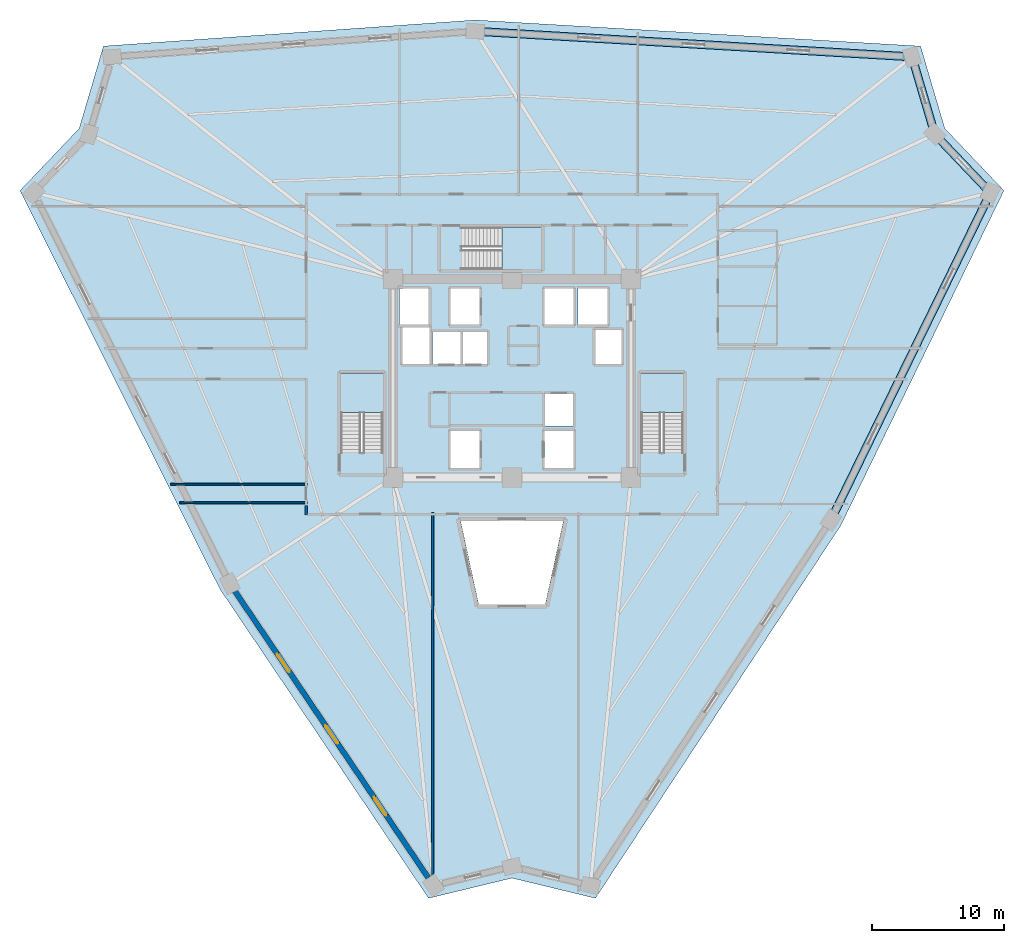
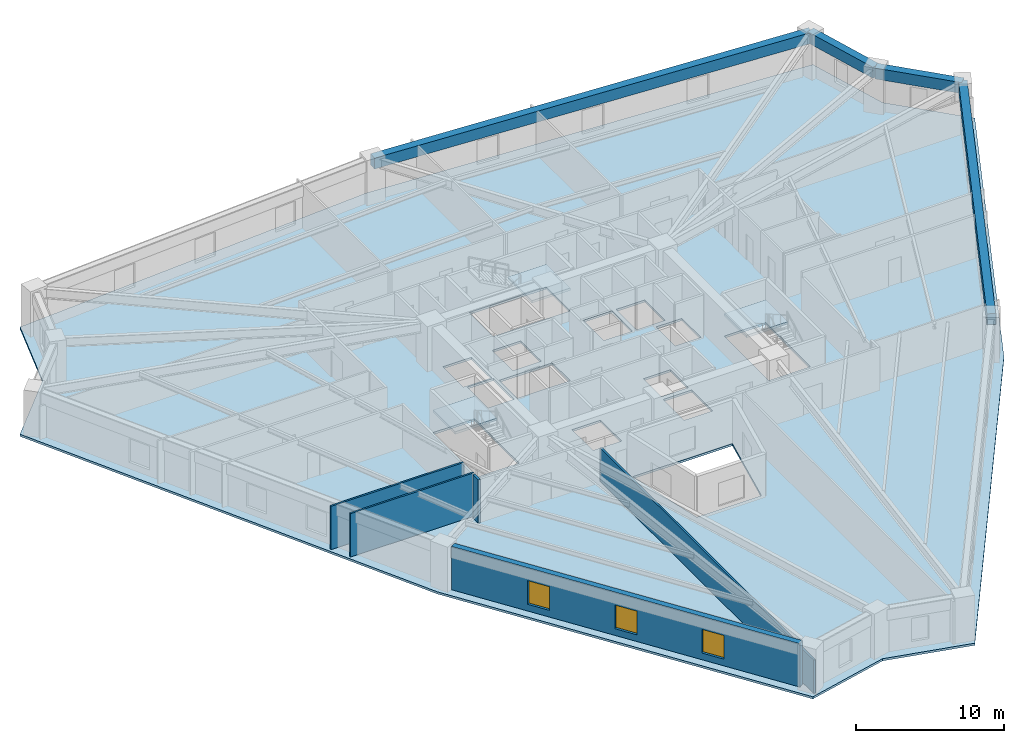
# One storey, part 2 of 9: 5 walls, 4 beams, 4 slabs, 3 windows, 3 openings, 3 elements without a shape of their own.
"""IFC4 building model written with IfcOpenShell, lengths in metres."""

from ifc_helpers import new_model, si_unit, direction, frame, frame_2d, origin, origin_2d, place, context, subcontext, project, spatial, polyline, rectangle, outline, extrude, source, transform, mapped, material, layer, layer_set, material_profile, profile_set, type_object, element, fill, aggregate, save


model = new_model("IFC4")

# Units and contexts
model_context = context("Model", 3, precision=1e-05, world=origin(), true_north=direction((0.0, 1.0)))
body_context = subcontext(model_context, "Body", "Model", "MODEL_VIEW")
ifc_project = project(units=[si_unit("LENGTHUNIT", "METRE"), si_unit("AREAUNIT", "SQUARE_METRE"), si_unit("VOLUMEUNIT", "CUBIC_METRE"), si_unit("PLANEANGLEUNIT", "RADIAN"), si_unit("MASSUNIT", "GRAM", prefix="KILO")], contexts=[model_context])

# Site, building, storey
site_placement = place(None, origin())
site = spatial("IfcSite", under=ifc_project, at=site_placement, CompositionType="ELEMENT")
building_placement = place(site_placement, origin())
building = spatial("IfcBuilding", under=site, at=building_placement, Name="Liaohun Quay Tower", CompositionType="ELEMENT")
storey_placement = place(building_placement, frame((0.0, 0.0, 128.25)))
storey = spatial("IfcBuildingStorey", under=building, at=storey_placement, Name="L33", CompositionType="ELEMENT", Elevation=128.25)

# Beams
ifc_material_1 = material(Name="Precast concrete C55", Category="concrete")
ifc_material_profile = material_profile(ifc_material_1, rectangle(XDim=0.60009765625, YDim=0.89990234375, at=origin_2d()), Name="RC600x900")
ifc_profile_set = profile_set([ifc_material_profile], Name="Precast concrete C55")
beam_type = type_object("IfcBeamType", Name="BM-SPD-Z2", PredefinedType="SPANDREL", material=ifc_profile_set)
shared_shape_1 = source(origin(), body_context, "Body", "SweptSolid", [
    extrude(rectangle(XDim=0.60009765625, YDim=0.89990234375, at=origin_2d()), origin(), (0.0, 0.0, 1.0), 27.518798828125),
])
beam_1_placement = place(storey_placement, frame((96.156005859375, 68.027099609375, 3.1201171875), z_axis=(-0.438130832845, -0.898911215477, 0.0), x_axis=(0.898911215477, -0.438130832845, 0.0)))
element("IfcBeam", 1, at=beam_1_placement, inside=storey, type_object=beam_type, Name="L33 Precast Spandrel Beam PC09-PC10", PredefinedType="SPANDREL", context=body_context, shape_type="MappedRepresentation", body=[
    mapped(shared_shape_1, transform((0.0, 0.0, 0.0), x_axis=(1.0, 0.0, 0.0), y_axis=(0.0, 1.0, 0.0), z_axis=(0.0, 0.0, 1.0), scale=1.0)),
])
shared_shape_2 = source(origin(), body_context, "Body", "SweptSolid", [
    extrude(rectangle(XDim=0.60009765625, YDim=0.89990234375, at=origin_2d()), origin(), (0.0, 0.0, 1.0), 33.05859375),
])
beam_2_placement = place(storey_placement, frame((57.22607421875, 80.22607421875, 3.1201171875), z_axis=(0.998287133367, -0.058504695142, 0.0), x_axis=(0.058504695142, 0.998287133367, 0.0)))
element("IfcBeam", 2, at=beam_2_placement, inside=storey, type_object=beam_type, Name="L33 Precast Spandrel Beam PC06-PC07", PredefinedType="SPANDREL", context=body_context, shape_type="MappedRepresentation", body=[
    mapped(shared_shape_2, transform((0.0, 0.0, 0.0), x_axis=(1.0, 0.0, 0.0), y_axis=(0.0, 1.0, 0.0), z_axis=(0.0, 0.0, 1.0), scale=1.0)),
])
shared_shape_3 = source(origin(), body_context, "Body", "SweptSolid", [
    extrude(rectangle(XDim=0.60009765625, YDim=0.89990234375, at=origin_2d()), origin(), (0.0, 0.0, 1.0), 6.09326171875),
])
beam_3_placement = place(storey_placement, frame((90.22802734375, 78.2919921875, 3.1201171875), z_axis=(0.282591464214, -0.959240357967, 0.0), x_axis=(0.959240357967, 0.282591464214, 0.0)))
element("IfcBeam", 3, at=beam_3_placement, inside=storey, type_object=beam_type, Name="L33 Precast Spandrel Beam PC07-PC08", PredefinedType="SPANDREL", context=body_context, shape_type="MappedRepresentation", body=[
    mapped(shared_shape_3, transform((0.0, 0.0, 0.0), x_axis=(1.0, 0.0, 0.0), y_axis=(0.0, 1.0, 0.0), z_axis=(0.0, 0.0, 1.0), scale=1.0)),
])
shared_shape_4 = source(origin(), body_context, "Body", "SweptSolid", [
    extrude(rectangle(XDim=0.60009765625, YDim=0.89990234375, at=origin_2d()), origin(), (0.0, 0.0, 1.0), 6.101318359375),
])
beam_4_placement = place(storey_placement, frame((91.949951171875, 72.447021484375, 3.1201171875), z_axis=(0.689363360648, -0.724415734918, 0.0), x_axis=(0.724415734918, 0.689363360648, 0.0)))
element("IfcBeam", 4, at=beam_4_placement, inside=storey, type_object=beam_type, Name="L33 Precast Spandrel Beam PC08-PC09", PredefinedType="SPANDREL", context=body_context, shape_type="MappedRepresentation", body=[
    mapped(shared_shape_4, transform((0.0, 0.0, 0.0), x_axis=(1.0, 0.0, 0.0), y_axis=(0.0, 1.0, 0.0), z_axis=(0.0, 0.0, 1.0), scale=1.0)),
])

# Stair, slab
ifc_material_2 = material(Name="Concrete C45", Category="concrete")
stair_type = type_object("IfcStairType", Name="STR-CORE-OFF", PredefinedType="HALF_TURN_STAIR", material=ifc_material_2)
stair_1_placement = place(storey_placement, origin())
stair_1 = element("IfcStair", 5, at=stair_1_placement, inside=storey, type_object=stair_type, Name="L33 Smokeproof Core Exit Stair ST-1", PredefinedType="HALF_TURN_STAIR")
ifc_layer_1 = layer(ifc_material_2, 0.199951171875, Name="Concrete C45", Category="concrete")
ifc_layer_set_1 = layer_set([ifc_layer_1], Name="Concrete C45")
slab_type_1 = type_object("IfcSlabType", Name="SLB-LND-200", PredefinedType="LANDING", material=ifc_layer_set_1)
slab_1_placement = place(storey_placement, frame((0.0, 0.0, 1.675048828125)))
slab_1 = element("IfcSlab", 6, at=slab_1_placement, type_object=slab_type_1, Name="ST-1 landing 1", PredefinedType="LANDING", context=body_context, shape_type="SweptSolid", body=[
    extrude(outline(polyline([(50.280029296875, 51.429931640625), (50.280029296875, 54.419921875), (47.0400390625, 54.419921875), (47.0400390625, 51.429931640625), (50.280029296875, 51.429931640625)])), origin(), (0.0, 0.0, 1.0), 0.199951171875),
])
aggregate(stair_1, [slab_1])

stair_2_placement = place(storey_placement, origin())
stair_2 = element("IfcStair", 7, at=stair_2_placement, inside=storey, type_object=stair_type, Name="L33 Smokeproof Core Exit Stair ST-2", PredefinedType="HALF_TURN_STAIR")
slab_2_placement = place(storey_placement, frame((0.0, 0.0, 1.675048828125)))
slab_2 = element("IfcSlab", 8, at=slab_2_placement, type_object=slab_type_1, Name="ST-2 landing 1", PredefinedType="LANDING", context=body_context, shape_type="SweptSolid", body=[
    extrude(outline(polyline([(72.9599609375, 51.429931640625), (72.9599609375, 54.419921875), (69.719970703125, 54.419921875), (69.719970703125, 51.429931640625), (72.9599609375, 51.429931640625)])), origin(), (0.0, 0.0, 1.0), 0.199951171875),
])
aggregate(stair_2, [slab_2])

stair_3_placement = place(storey_placement, origin())
stair_3 = element("IfcStair", 9, at=stair_3_placement, inside=storey, type_object=stair_type, Name="L33 Smokeproof Core Exit Stair ST-3", PredefinedType="HALF_TURN_STAIR")
slab_3_placement = place(storey_placement, frame((0.0, 0.0, 1.675048828125)))
slab_3 = element("IfcSlab", 10, at=slab_3_placement, type_object=slab_type_1, Name="ST-3 landing 1", PredefinedType="LANDING", context=body_context, shape_type="SweptSolid", body=[
    extrude(outline(polyline([(59.22998046875, 62.199951171875), (62.219970703125, 62.199951171875), (62.219970703125, 65.43994140625), (59.22998046875, 65.43994140625), (59.22998046875, 62.199951171875)])), origin(), (0.0, 0.0, 1.0), 0.199951171875),
])
aggregate(stair_3, [slab_3])

# Slab
ifc_layer_2 = layer(ifc_material_2, 0.179931640625, Name="Concrete C45", Category="concrete")
ifc_layer_set_2 = layer_set([ifc_layer_2], Name="Concrete C45")
slab_type_2 = type_object("IfcSlabType", Name="SLB-OFF-180", PredefinedType="FLOOR", material=ifc_layer_set_2)
slab_4_placement = place(storey_placement, frame((0.0, 0.0, -0.179931640625)))
element("IfcSlab", 11, at=slab_4_placement, inside=storey, type_object=slab_type_2, Name="L33 Structural Floor Slab", PredefinedType="FLOOR", context=body_context, shape_type="SweptSolid", body=[
    extrude(outline(polyline([(53.695068359375, 14.7099609375), (60.0, 16.23291015625), (66.304931640625, 14.7099609375), (84.839111328125, 42.867919921875), (97.178955078125, 68.18505859375), (92.70703125, 72.884033203125), (90.8740234375, 79.10595703125), (57.220947265625, 81.077880859375), (29.1259765625, 79.10595703125), (27.29296875, 72.884033203125), (22.821044921875, 68.18505859375), (37.93896484375, 38.054931640625), (53.695068359375, 14.7099609375)]), holes=[polyline([(57.56005859375, 50.030029296875), (55.340087890625, 50.030029296875), (55.340087890625, 47.2099609375), (57.56005859375, 47.2099609375), (57.56005859375, 50.030029296875)]), polyline([(50.280029296875, 54.419921875), (47.0400390625, 54.419921875), (47.0400390625, 48.409912109375), (50.280029296875, 48.409912109375), (50.280029296875, 54.419921875)]), polyline([(53.989990234375, 55.090087890625), (58.110107421875, 55.090087890625), (58.110107421875, 57.510009765625), (53.989990234375, 57.510009765625), (53.989990234375, 55.090087890625)]), polyline([(53.760009765625, 55.090087890625), (53.760009765625, 57.909912109375), (51.7099609375, 57.909912109375), (51.7099609375, 55.090087890625), (53.760009765625, 55.090087890625)]), polyline([(53.7099609375, 58.0400390625), (53.7099609375, 60.7900390625), (51.489990234375, 60.7900390625), (51.489990234375, 58.0400390625), (53.7099609375, 58.0400390625)]), polyline([(57.56005859375, 58.0400390625), (57.56005859375, 60.7900390625), (55.340087890625, 60.7900390625), (55.340087890625, 58.0400390625), (57.56005859375, 58.0400390625)]), polyline([(62.219970703125, 62.199951171875), (62.219970703125, 65.43994140625), (56.2099609375, 65.43994140625), (56.2099609375, 62.199951171875), (62.219970703125, 62.199951171875)]), polyline([(62.52001953125, 36.924072265625), (63.876953125, 43.199951171875), (56.123046875, 43.199951171875), (57.47998046875, 36.924072265625), (62.52001953125, 36.924072265625)]), polyline([(64.659912109375, 47.2099609375), (64.659912109375, 50.030029296875), (62.43994140625, 50.030029296875), (62.43994140625, 47.2099609375), (64.659912109375, 47.2099609375)]), polyline([(72.9599609375, 54.419921875), (69.719970703125, 54.419921875), (69.719970703125, 48.409912109375), (72.9599609375, 48.409912109375), (72.9599609375, 54.419921875)]), polyline([(64.610107421875, 50.389892578125), (64.610107421875, 52.81005859375), (62.489990234375, 52.81005859375), (62.489990234375, 50.389892578125), (64.610107421875, 50.389892578125)]), polyline([(68.2900390625, 55.090087890625), (68.2900390625, 57.659912109375), (66.2900390625, 57.659912109375), (66.2900390625, 55.090087890625), (68.2900390625, 55.090087890625)]), polyline([(64.659912109375, 58.0400390625), (64.659912109375, 60.7900390625), (62.43994140625, 60.7900390625), (62.43994140625, 58.0400390625), (64.659912109375, 58.0400390625)]), polyline([(67.2099609375, 58.0400390625), (67.2099609375, 60.7900390625), (64.989990234375, 60.7900390625), (64.989990234375, 58.0400390625), (67.2099609375, 58.0400390625)])]), origin(), (0.0, 0.0, 1.0), 0.179931640625),
])

# Wall, openings, windows
ifc_material_3 = material(Name="Precast concrete C50 insulated sandwich", Category="concrete")
ifc_layer_3 = layer(ifc_material_3, 0.419921875, Name="Precast concrete C50 insulated sandwich", Category="concrete")
ifc_layer_set_3 = layer_set([ifc_layer_3], Name="Precast concrete C50 insulated sandwich")
wall_type_1 = type_object("IfcWallType", Name="WAL-EXT-Z12", PredefinedType="SOLIDWALL", material=ifc_layer_set_3)
wall_1_placement = place(storey_placement, frame((39.06005859375, 37.9130859375, 0.0), z_axis=(0.0, 0.0, 1.0), x_axis=(0.559433071817, -0.828875526335, 0.0)))
wall_1 = element("IfcWall", 12, at=wall_1_placement, inside=storey, type_object=wall_type_1, Name="L33 Brutalist Precast Pier Wall 11", PredefinedType="SOLIDWALL", context=body_context, shape_type="SweptSolid", body=[
    extrude(rectangle(XDim=26.13916015625, YDim=0.419921875, at=frame_2d((13.069580078125, 0.0))), origin(), (0.0, 0.0, 1.0), 3.570068359375),
])
shared_shape_5 = source(origin(), body_context, "Body", "SweptSolid", [
    extrude(rectangle(XDim=1.64990234375, YDim=1.949951171875, at=frame_2d((0.824951171875, 0.97509765625))), frame((0.0, 0.219970703125, 0.0), z_axis=(0.0, -1.0, 0.0), x_axis=(1.0, 0.0, 0.0)), (0.0, 0.0, 1.0), 0.43994140625),
])
opening_1_placement = place(wall_1_placement, frame((5.7099609375, 0.0, 0.550048828125)))
opening_1 = element("IfcOpeningElement", 13, at=opening_1_placement, cuts=wall_1, Name="Opening W02", PredefinedType="OPENING", context=body_context, shape_type="MappedRepresentation", body=[
    mapped(shared_shape_5, transform((0.0, 0.0, 0.0), x_axis=(1.0, 0.0, 0.0), y_axis=(0.0, 1.0, 0.0), z_axis=(0.0, 0.0, 1.0), scale=1.0)),
])
opening_2_placement = place(wall_1_placement, frame((12.2451171875, 0.0, 0.550048828125)))
opening_2 = element("IfcOpeningElement", 14, at=opening_2_placement, cuts=wall_1, Name="Opening W02", PredefinedType="OPENING", context=body_context, shape_type="MappedRepresentation", body=[
    mapped(shared_shape_5, transform((0.0, 0.0, 0.0), x_axis=(1.0, 0.0, 0.0), y_axis=(0.0, 1.0, 0.0), z_axis=(0.0, 0.0, 1.0), scale=1.0)),
])
opening_3_placement = place(wall_1_placement, frame((18.779052734375, 0.0, 0.550048828125)))
opening_3 = element("IfcOpeningElement", 15, at=opening_3_placement, cuts=wall_1, Name="Opening W02", PredefinedType="OPENING", context=body_context, shape_type="MappedRepresentation", body=[
    mapped(shared_shape_5, transform((0.0, 0.0, 0.0), x_axis=(1.0, 0.0, 0.0), y_axis=(0.0, 1.0, 0.0), z_axis=(0.0, 0.0, 1.0), scale=1.0)),
])
ifc_material_4 = material(Name="Triple Low-E argon glazing in thermally broken aluminium", Category="aluminium")
window_type = type_object("IfcWindowType", Name="WIN-PUN-Z2", PartitioningType="DOUBLE_PANEL_VERTICAL", PredefinedType="WINDOW", material=ifc_material_4)
shared_shape_6 = source(origin(), body_context, "Body", "SweptSolid", [
    extrude(rectangle(XDim=1.64990234375, YDim=1.949951171875, at=frame_2d((0.824951171875, 0.97509765625))), frame((0.0, 0.030029296875, 0.0), z_axis=(0.0, -1.0, 0.0), x_axis=(1.0, 0.0, 0.0)), (0.0, 0.0, 1.0), 0.06005859375),
])
window_1_placement = place(opening_1_placement, origin())
window_1 = element("IfcWindow", 16, at=window_1_placement, inside=storey, type_object=window_type, Name="L33 Recessed Cold-Climate Punched Window 11-1", OverallHeight=1.949951171875, OverallWidth=1.64990234375, PartitioningType="DOUBLE_PANEL_VERTICAL", PredefinedType="WINDOW", context=body_context, shape_type="MappedRepresentation", body=[
    mapped(shared_shape_6, transform((0.0, 0.0, 0.0), x_axis=(1.0, 0.0, 0.0), y_axis=(0.0, 1.0, 0.0), z_axis=(0.0, 0.0, 1.0), scale=1.0)),
])
fill(opening_1, window_1)
window_2_placement = place(opening_2_placement, origin())
window_2 = element("IfcWindow", 17, at=window_2_placement, inside=storey, type_object=window_type, Name="L33 Recessed Cold-Climate Punched Window 11-2", OverallHeight=1.949951171875, OverallWidth=1.64990234375, PartitioningType="DOUBLE_PANEL_VERTICAL", PredefinedType="WINDOW", context=body_context, shape_type="MappedRepresentation", body=[
    mapped(shared_shape_6, transform((0.0, 0.0, 0.0), x_axis=(1.0, 0.0, 0.0), y_axis=(0.0, 1.0, 0.0), z_axis=(0.0, 0.0, 1.0), scale=1.0)),
])
fill(opening_2, window_2)
window_3_placement = place(opening_3_placement, origin())
window_3 = element("IfcWindow", 18, at=window_3_placement, inside=storey, type_object=window_type, Name="L33 Recessed Cold-Climate Punched Window 11-3", OverallHeight=1.949951171875, OverallWidth=1.64990234375, PartitioningType="DOUBLE_PANEL_VERTICAL", PredefinedType="WINDOW", context=body_context, shape_type="MappedRepresentation", body=[
    mapped(shared_shape_6, transform((0.0, 0.0, 0.0), x_axis=(1.0, 0.0, 0.0), y_axis=(0.0, 1.0, 0.0), z_axis=(0.0, 0.0, 1.0), scale=1.0)),
])
fill(opening_3, window_3)

# Walls
ifc_material_5 = material(Name="Autoclaved aerated concrete blockwork", Category="masonry")
ifc_layer_4 = layer(ifc_material_5, 0.179931640625, Name="Autoclaved aerated concrete blockwork", Category="masonry")
ifc_layer_set_4 = layer_set([ifc_layer_4], Name="Autoclaved aerated concrete blockwork")
wall_type_2 = type_object("IfcWallType", Name="WAL-PRT-COR", PredefinedType="PARTITIONING", material=ifc_layer_set_4)
wall_2_placement = place(storey_placement, frame((44.43994140625, 43.669921875, 0.0), z_axis=(0.0, 0.0, 1.0), x_axis=(0.0, 1.0, 0.0)))
element("IfcWall", 19, at=wall_2_placement, inside=storey, type_object=wall_type_2, Name="L33 Interior Partition Wall 049", PredefinedType="PARTITIONING", context=body_context, shape_type="SweptSolid", body=[
    extrude(rectangle(XDim=0.715087890625, YDim=0.179931640625, at=frame_2d((0.357421875, 0.0))), origin(), (0.0, 0.0, 1.0), 3.570068359375),
])
ifc_material_6 = material(Name="Gypsum board on twin steel studs", Category="steel")
ifc_layer_5 = layer(ifc_material_6, 0.139892578125, Name="Gypsum board on twin steel studs", Category="steel")
ifc_layer_set_5 = layer_set([ifc_layer_5], Name="Gypsum board on twin steel studs")
wall_type_3 = type_object("IfcWallType", Name="WAL-PRT-OFF", PredefinedType="PARTITIONING", material=ifc_layer_set_5)
wall_3_placement = place(storey_placement, frame((44.5400390625, 44.60009765625, 0.0), z_axis=(0.0, 0.0, 1.0), x_axis=(-1.0, 0.0, 0.0)))
element("IfcWall", 20, at=wall_3_placement, inside=storey, type_object=wall_type_3, Name="L33 Interior Partition Wall 052", PredefinedType="PARTITIONING", context=body_context, shape_type="SweptSolid", body=[
    extrude(rectangle(XDim=9.63916015625, YDim=0.139892578125, at=frame_2d((4.819580078125, 0.0))), origin(), (0.0, 0.0, 1.0), 3.570068359375),
])
wall_4_placement = place(storey_placement, frame((44.5400390625, 46.0, 0.0), z_axis=(0.0, 0.0, 1.0), x_axis=(-1.0, 0.0, 0.0)))
element("IfcWall", 21, at=wall_4_placement, inside=storey, type_object=wall_type_3, Name="L33 Interior Partition Wall 053", PredefinedType="PARTITIONING", context=body_context, shape_type="SweptSolid", body=[
    extrude(rectangle(XDim=10.341064453125, YDim=0.139892578125, at=frame_2d((5.17041015625, 0.0))), origin(), (0.0, 0.0, 1.0), 3.570068359375),
])
wall_5_placement = place(storey_placement, frame((54.0, 43.840087890625, 0.0), z_axis=(0.0, 0.0, 1.0), x_axis=(0.0, -1.0, 0.0)))
element("IfcWall", 22, at=wall_5_placement, inside=storey, type_object=wall_type_3, Name="L33 Interior Partition Wall 061", PredefinedType="PARTITIONING", context=body_context, shape_type="SweptSolid", body=[
    extrude(rectangle(XDim=28.830078125, YDim=0.139892578125, at=frame_2d((14.4150390625, 0.0))), origin(), (0.0, 0.0, 1.0), 2.7548828125),
])

save(model, "model.ifc")
